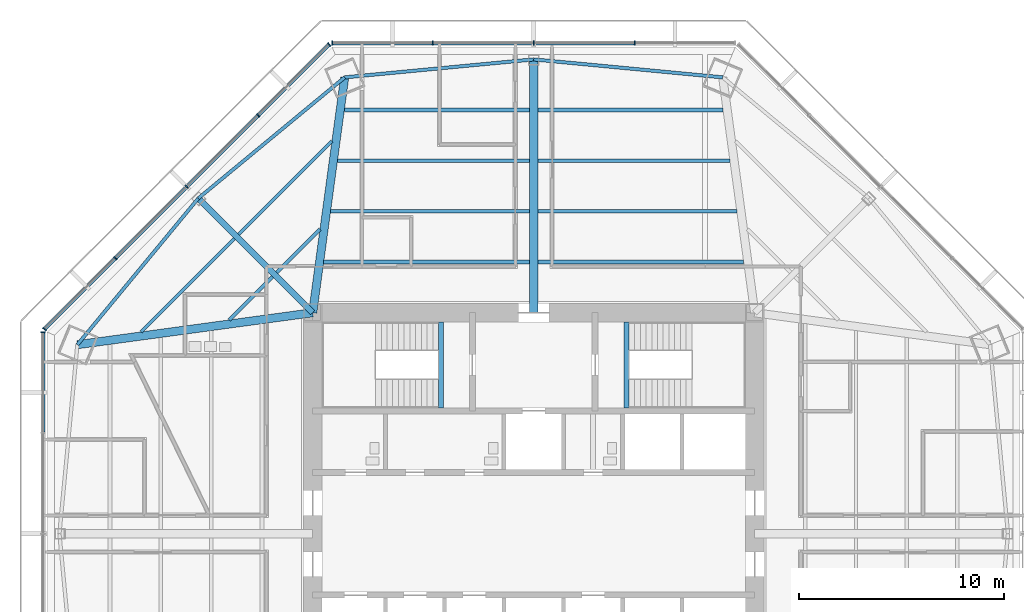
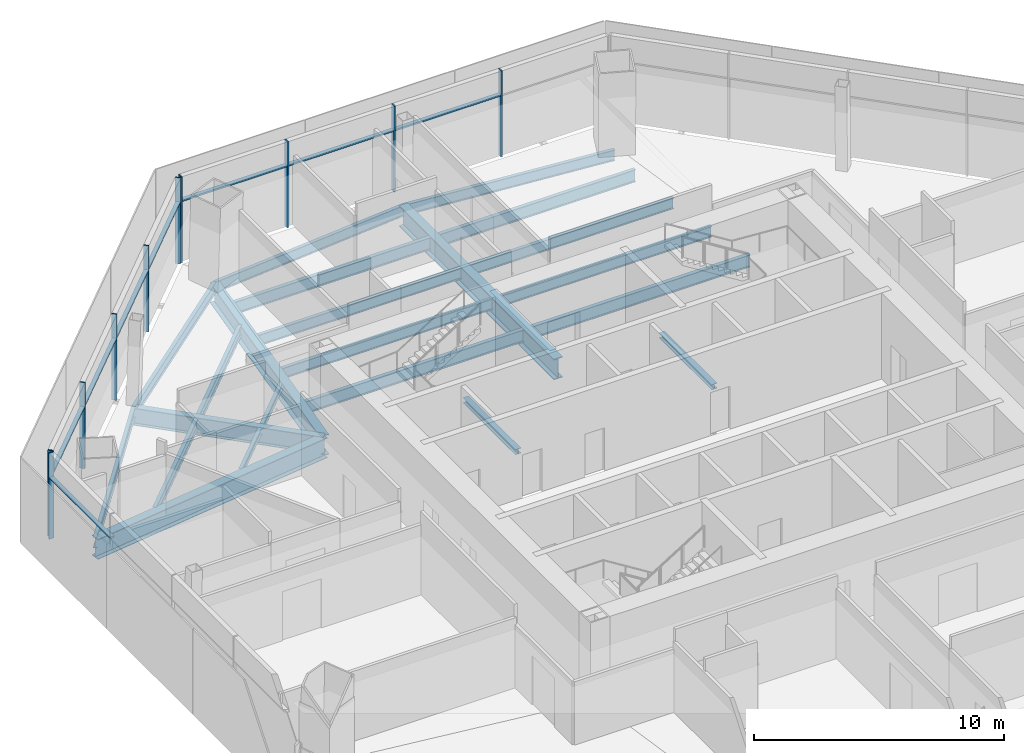
# One storey, part 5 of 14: 22 beams, 18 members, 3 elements without a shape of their own.
"""IFC4 building model written with IfcOpenShell, lengths in metres."""

from ifc_helpers import new_model, si_unit, direction, frame, origin, origin_2d, place, context, subcontext, project, spatial, rectangle, i_section, extrude, source, transform, mapped, material, material_profile, profile_set, type_object, type_shapes, element, aggregate, save


model = new_model("IFC4")

# Units and contexts
model_context = context("Model", 3, precision=1e-05, world=origin(), true_north=direction((0.0, 1.0)))
body_context = subcontext(model_context, "Body", "Model", "MODEL_VIEW")
ifc_project = project(units=[si_unit("LENGTHUNIT", "METRE"), si_unit("AREAUNIT", "SQUARE_METRE"), si_unit("VOLUMEUNIT", "CUBIC_METRE"), si_unit("PLANEANGLEUNIT", "RADIAN"), si_unit("MASSUNIT", "GRAM", prefix="KILO")], contexts=[model_context])

# Site, building, storey
site_placement = place(None, origin())
site = spatial("IfcSite", under=ifc_project, at=site_placement, CompositionType="ELEMENT")
building_placement = place(site_placement, origin())
building = spatial("IfcBuilding", under=site, at=building_placement, Name="Mashrafa Tower", CompositionType="ELEMENT")
storey_placement = place(building_placement, frame((0.0, 0.0, 142.800048828125)))
storey = spatial("IfcBuildingStorey", under=building, at=storey_placement, Name="L32", CompositionType="ELEMENT", Elevation=142.800048828125)

# Beams
ifc_material_1 = material(Name="Steel ASTM A992", Category="steel")
ifc_material_profile_1 = material_profile(ifc_material_1, i_section(OverallWidth=0.164794921875, OverallDepth=0.309814453125, WebThickness=0.005859375, FlangeThickness=0.009765625, FilletRadius=0.007568359375, at=origin_2d()), Name="W12X26")
ifc_profile_set_1 = profile_set([ifc_material_profile_1], Name="Steel ASTM A992")
beam_type_1 = type_object("IfcBeamType", Name="Beam W12X26", PredefinedType="BEAM", material=ifc_profile_set_1)
for number, where, z_axis, x_axis, name in (
    (1, (-14.878662109375, 10.448486328125, -0.320068359375), (0.707106781187, 0.707106781187, 0.0), (-0.707106781187, 0.707106781187, 0.0), "Floor beam L32 008"),
    (2, (-12.560302734375, 12.766845703125, -0.320068359375), (0.707106781187, 0.707106781187, 0.0), (-0.707106781187, 0.707106781187, 0.0), "Floor beam L32 014"),
):
    element("IfcBeam", number, at=place(storey_placement, frame(where, z_axis=z_axis, x_axis=x_axis)), inside=storey, type_object=beam_type_1, Name=name, PredefinedType="BEAM", context=body_context, shape_type="SweptSolid", body=[
        extrude(i_section(OverallWidth=0.164794921875, OverallDepth=0.309814453125, WebThickness=0.005859375, FlangeThickness=0.009765625, FilletRadius=0.007568359375, at=origin_2d()), origin(), (0.0, 0.0, 1.0), 2.986572265625),
    ])
ifc_material_2 = material(Name="Steel ASTM A992", Category="steel")
ifc_material_profile_2 = material_profile(ifc_material_2, i_section(OverallWidth=0.1650390625, OverallDepth=0.52587890625, WebThickness=0.0087890625, FlangeThickness=0.011474609375, FilletRadius=0.0126953125, at=origin_2d()), Name="W21X44")
ifc_profile_set_2 = profile_set([ifc_material_profile_2], Name="Steel ASTM A992")
beam_type_2 = type_object("IfcBeamType", Name="Beam W21X44", PredefinedType="BEAM", material=ifc_profile_set_2)
for number, where, z_axis, x_axis, name in (
    (3, (-19.191650390625, 9.862548828125, -0.427978515625), (0.707106781187, 0.707106781187, 0.0), (-0.707106781187, 0.707106781187, 0.0), "Floor beam L32 003"),
    (4, (-14.423828125, 14.63037109375, -0.427978515625), (0.707106781187, 0.707106781187, 0.0), (-0.707106781187, 0.707106781187, 0.0), "Floor beam L32 010"),
):
    element("IfcBeam", number, at=place(storey_placement, frame(where, z_axis=z_axis, x_axis=x_axis)), inside=storey, type_object=beam_type_2, Name=name, PredefinedType="BEAM", context=body_context, shape_type="SweptSolid", body=[
        extrude(i_section(OverallWidth=0.1650390625, OverallDepth=0.52587890625, WebThickness=0.0087890625, FlangeThickness=0.011474609375, FilletRadius=0.0126953125, at=origin_2d()), origin(), (0.0, 0.0, 1.0), 6.45068359375),
    ])
beam_1_placement = place(storey_placement, frame((-9.9248046875, 15.751953125, -0.427978515625), z_axis=(1.0, 0.0, 0.0), x_axis=(0.0, 1.0, 0.0)))
element("IfcBeam", 5, at=beam_1_placement, inside=storey, type_object=beam_type_2, Name="Floor beam L32 017", PredefinedType="BEAM", context=body_context, shape_type="SweptSolid", body=[
    extrude(i_section(OverallWidth=0.1650390625, OverallDepth=0.52587890625, WebThickness=0.0087890625, FlangeThickness=0.011474609375, FilletRadius=0.0126953125, at=origin_2d()), origin(), (0.0, 0.0, 1.0), 9.72412109375),
])
beam_2_placement = place(storey_placement, frame((-9.58837890625, 18.227783203125, -0.427978515625), z_axis=(1.0, 0.0, 0.0), x_axis=(0.0, 1.0, 0.0)))
element("IfcBeam", 6, at=beam_2_placement, inside=storey, type_object=beam_type_2, Name="Floor beam L32 018", PredefinedType="BEAM", context=body_context, shape_type="SweptSolid", body=[
    extrude(i_section(OverallWidth=0.1650390625, OverallDepth=0.52587890625, WebThickness=0.0087890625, FlangeThickness=0.011474609375, FilletRadius=0.0126953125, at=origin_2d()), origin(), (0.0, 0.0, 1.0), 9.3876953125),
])
beam_3_placement = place(storey_placement, frame((0.20068359375, 15.751953125, -0.427978515625), z_axis=(1.0, 0.0, 0.0), x_axis=(0.0, 1.0, 0.0)))
element("IfcBeam", 7, at=beam_3_placement, inside=storey, type_object=beam_type_2, Name="Floor beam L32 026", PredefinedType="BEAM", context=body_context, shape_type="SweptSolid", body=[
    extrude(i_section(OverallWidth=0.1650390625, OverallDepth=0.52587890625, WebThickness=0.0087890625, FlangeThickness=0.011474609375, FilletRadius=0.0126953125, at=origin_2d()), origin(), (0.0, 0.0, 1.0), 9.72412109375),
])
beam_4_placement = place(storey_placement, frame((0.20068359375, 18.227783203125, -0.427978515625), z_axis=(1.0, 0.0, 0.0), x_axis=(0.0, 1.0, 0.0)))
element("IfcBeam", 8, at=beam_4_placement, inside=storey, type_object=beam_type_2, Name="Floor beam L32 027", PredefinedType="BEAM", context=body_context, shape_type="SweptSolid", body=[
    extrude(i_section(OverallWidth=0.1650390625, OverallDepth=0.52587890625, WebThickness=0.0087890625, FlangeThickness=0.011474609375, FilletRadius=0.0126953125, at=origin_2d()), origin(), (0.0, 0.0, 1.0), 9.3876953125),
])
for number, where, z_axis, x_axis, name in (
    (9, (-16.390625, 16.390625, -0.427978515625), (-0.636998387422, -0.770865133744, 0.0), (0.770865133744, -0.636998387422, 0.0), "Spandrel beam L32 069"),
    (10, (-9.237548828125, 22.301513671875, -0.427978515625), (-0.770865133744, -0.636998387422, 0.0), (0.636998387422, -0.770865133744, 0.0), "Spandrel beam L32 071"),
    (11, (0.0, 23.1796875, -0.427978515625), (-0.995511658255, -0.09463898921, 0.0), (0.09463898921, -0.995511658255, 0.0), "Spandrel beam L32 073"),
    (12, (9.237548828125, 22.301513671875, -0.427978515625), (-0.995511658255, 0.09463898921, 0.0), (-0.09463898921, -0.995511658255, 0.0), "Spandrel beam L32 075"),
):
    element("IfcBeam", number, at=place(storey_placement, frame(where, z_axis=z_axis, x_axis=x_axis)), inside=storey, type_object=beam_type_2, Name=name, PredefinedType="BEAM", context=body_context, shape_type="SweptSolid", body=[
        extrude(i_section(OverallWidth=0.1650390625, OverallDepth=0.52587890625, WebThickness=0.0087890625, FlangeThickness=0.011474609375, FilletRadius=0.0126953125, at=origin_2d()), origin(), (0.0, 0.0, 1.0), 9.279296875),
    ])
ifc_material_3 = material(Name="Steel ASTM A992", Category="steel")
ifc_material_profile_3 = material_profile(ifc_material_3, i_section(OverallWidth=0.177978515625, OverallDepth=0.599365234375, WebThickness=0.010009765625, FlangeThickness=0.012939453125, FilletRadius=0.012939453125, at=origin_2d()), Name="W24X55")
ifc_profile_set_3 = profile_set([ifc_material_profile_3], Name="Steel ASTM A992")
beam_type_3 = type_object("IfcBeamType", Name="Beam W24X55", PredefinedType="BEAM", material=ifc_profile_set_3)
beam_5_placement = place(storey_placement, frame((-10.26123046875, 13.27587890625, -0.46484375), z_axis=(1.0, 0.0, 0.0), x_axis=(0.0, 1.0, 0.0)))
element("IfcBeam", 13, at=beam_5_placement, inside=storey, type_object=beam_type_3, Name="Floor beam L32 015", PredefinedType="BEAM", context=body_context, shape_type="SweptSolid", body=[
    extrude(i_section(OverallWidth=0.177978515625, OverallDepth=0.599365234375, WebThickness=0.010009765625, FlangeThickness=0.012939453125, FilletRadius=0.012939453125, at=origin_2d()), origin(), (0.0, 0.0, 1.0), 10.060546875),
])
beam_6_placement = place(storey_placement, frame((-9.252197265625, 20.703857421875, -0.46484375), z_axis=(1.0, 0.0, 0.0), x_axis=(0.0, 1.0, 0.0)))
element("IfcBeam", 14, at=beam_6_placement, inside=storey, type_object=beam_type_3, Name="Floor beam L32 020", PredefinedType="BEAM", context=body_context, shape_type="SweptSolid", body=[
    extrude(i_section(OverallWidth=0.177978515625, OverallDepth=0.599365234375, WebThickness=0.010009765625, FlangeThickness=0.012939453125, FilletRadius=0.012939453125, at=origin_2d()), origin(), (0.0, 0.0, 1.0), 9.051513671875),
])
beam_7_placement = place(storey_placement, frame((0.20068359375, 13.27587890625, -0.46484375), z_axis=(1.0, 0.0, 0.0), x_axis=(0.0, 1.0, 0.0)))
element("IfcBeam", 15, at=beam_7_placement, inside=storey, type_object=beam_type_3, Name="Floor beam L32 025", PredefinedType="BEAM", context=body_context, shape_type="SweptSolid", body=[
    extrude(i_section(OverallWidth=0.177978515625, OverallDepth=0.599365234375, WebThickness=0.010009765625, FlangeThickness=0.012939453125, FilletRadius=0.012939453125, at=origin_2d()), origin(), (0.0, 0.0, 1.0), 10.060546875),
])
beam_8_placement = place(storey_placement, frame((0.20068359375, 20.703857421875, -0.46484375), z_axis=(1.0, 0.0, 0.0), x_axis=(0.0, 1.0, 0.0)))
element("IfcBeam", 16, at=beam_8_placement, inside=storey, type_object=beam_type_3, Name="Floor beam L32 028", PredefinedType="BEAM", context=body_context, shape_type="SweptSolid", body=[
    extrude(i_section(OverallWidth=0.177978515625, OverallDepth=0.599365234375, WebThickness=0.010009765625, FlangeThickness=0.012939453125, FilletRadius=0.012939453125, at=origin_2d()), origin(), (0.0, 0.0, 1.0), 9.051513671875),
])
ifc_material_4 = material(Name="Steel ASTM A992", Category="steel")
ifc_material_profile_4 = material_profile(ifc_material_4, i_section(OverallWidth=0.2919921875, OverallDepth=0.8408203125, WebThickness=0.0146484375, FlangeThickness=0.021728515625, FilletRadius=0.017333984375, at=origin_2d()), Name="W33X130")
ifc_profile_set_4 = profile_set([ifc_material_profile_4], Name="Steel ASTM A992")
beam_type_4 = type_object("IfcBeamType", Name="Beam W33X130", PredefinedType="BEAM", material=ifc_profile_set_4)
beam_9_placement = place(storey_placement, frame((-10.800048828125, 10.800048828125, -0.58544921875), z_axis=(-0.707106781187, 0.707106781187, 0.0), x_axis=(-0.707106781187, -0.707106781187, 0.0)))
element("IfcBeam", 17, at=beam_9_placement, inside=storey, type_object=beam_type_4, Name="Radial girder L32 054", PredefinedType="BEAM", context=body_context, shape_type="SweptSolid", body=[
    extrude(i_section(OverallWidth=0.2919921875, OverallDepth=0.8408203125, WebThickness=0.0146484375, FlangeThickness=0.021728515625, FilletRadius=0.017333984375, at=origin_2d()), origin(), (0.0, 0.0, 1.0), 7.90625),
])
ifc_material_5 = material(Name="Steel ASTM A992", Category="steel")
ifc_material_profile_5 = material_profile(ifc_material_5, i_section(OverallWidth=0.4013671875, OverallDepth=0.98291015625, WebThickness=0.0166015625, FlangeThickness=0.027099609375, FilletRadius=0.0126953125, at=origin_2d()), Name="W40X199")
ifc_profile_set_5 = profile_set([ifc_material_profile_5], Name="Steel ASTM A992")
beam_type_5 = type_object("IfcBeamType", Name="Beam W40X199", PredefinedType="BEAM", material=ifc_profile_set_5)
for number, where, z_axis, x_axis, name in (
    (18, (-10.800048828125, 10.800048828125, -0.656494140625), (-0.990897880062, -0.134615717096, 0.0), (0.134615717096, -0.990897880062, 0.0), "Radial girder L32 053"),
    (19, (-10.800048828125, 10.800048828125, -0.656494140625), (0.134615717096, 0.990897880062, 0.0), (-0.990897880062, 0.134615717096, 0.0), "Radial girder L32 055"),
):
    element("IfcBeam", number, at=place(storey_placement, frame(where, z_axis=z_axis, x_axis=x_axis)), inside=storey, type_object=beam_type_5, Name=name, PredefinedType="BEAM", context=body_context, shape_type="SweptSolid", body=[
        extrude(i_section(OverallWidth=0.4013671875, OverallDepth=0.98291015625, WebThickness=0.0166015625, FlangeThickness=0.027099609375, FilletRadius=0.0126953125, at=origin_2d()), origin(), (0.0, 0.0, 1.0), 11.607177734375),
    ])
ifc_material_6 = material(Name="Steel ASTM A992", Category="steel")
ifc_material_profile_6 = material_profile(ifc_material_6, i_section(OverallWidth=0.4013671875, OverallDepth=1.010986328125, WebThickness=0.023681640625, FlangeThickness=0.0419921875, FilletRadius=0.02001953125, at=origin_2d()), Name="W40X297")
ifc_profile_set_6 = profile_set([ifc_material_profile_6], Name="Steel ASTM A992")
beam_type_6 = type_object("IfcBeamType", Name="Beam W40X297", PredefinedType="BEAM", material=ifc_profile_set_6)
beam_10_placement = place(storey_placement, frame((0.0, 10.800048828125, -0.67041015625), z_axis=(0.0, 1.0, 0.0), x_axis=(-1.0, 0.0, 0.0)))
element("IfcBeam", 20, at=beam_10_placement, inside=storey, type_object=beam_type_6, Name="Radial girder L32 057", PredefinedType="BEAM", context=body_context, shape_type="SweptSolid", body=[
    extrude(i_section(OverallWidth=0.4013671875, OverallDepth=1.010986328125, WebThickness=0.023681640625, FlangeThickness=0.0419921875, FilletRadius=0.02001953125, at=origin_2d()), origin(), (0.0, 0.0, 1.0), 12.379638671875),
])
ifc_material_7 = material(Name="Steel ASTM A992", Category="steel")
ifc_material_profile_7 = material_profile(ifc_material_7, i_section(OverallWidth=0.25390625, OverallDepth=0.25390625, WebThickness=0.008544921875, FlangeThickness=0.01416015625, FilletRadius=0.010009765625, at=origin_2d()), Name="W10X49")
ifc_profile_set_7 = profile_set([ifc_material_profile_7], Name="Steel ASTM A992")
beam_type_7 = type_object("IfcBeamType", Name="Hoistway beam W10X49", PredefinedType="BEAM", material=ifc_profile_set_7)
for number, where, z_axis, x_axis, name in (
    (21, (-4.530029296875, 6.14990234375, -0.3271484375), (0.0, 1.0, 0.0), (-1.0, 0.0, 0.0), "Stair S1 landing beam L32"),
    (22, (4.530029296875, 6.14990234375, -0.3271484375), (0.0, 1.0, 0.0), (-1.0, 0.0, 0.0), "Stair S2 landing beam L32"),
):
    element("IfcBeam", number, at=place(storey_placement, frame(where, z_axis=z_axis, x_axis=x_axis)), inside=storey, type_object=beam_type_7, Name=name, PredefinedType="BEAM", context=body_context, shape_type="SweptSolid", body=[
        extrude(i_section(OverallWidth=0.25390625, OverallDepth=0.25390625, WebThickness=0.008544921875, FlangeThickness=0.01416015625, FilletRadius=0.010009765625, at=origin_2d()), origin(), (0.0, 0.0, 1.0), 4.2001953125),
    ])

# Curtain wall, members
ifc_material_8 = material(Name="Unitised aluminium curtain wall", Category="aluminium")
curtain_wall_type = type_object("IfcCurtainWallType", Name="Office curtain wall, zone 2 CW-B 225 deep", PredefinedType="NOTDEFINED", material=ifc_material_8)
curtain_wall_1_placement = place(storey_placement, origin())
curtain_wall_1 = element("IfcCurtainWall", 23, at=curtain_wall_1_placement, inside=storey, type_object=curtain_wall_type, Name="Office curtain wall, zone 2 L32 north", PredefinedType="NOTDEFINED")
ifc_material_9 = material(Name="Extruded aluminium mullion", Category="aluminium")
ifc_material_profile_8 = material_profile(ifc_material_9, rectangle(XDim=0.22509765625, YDim=0.06494140625, at=origin_2d()), Name="Mullion 65x225")
ifc_profile_set_8 = profile_set([ifc_material_profile_8], Name="Extruded aluminium mullion")
member_type_1 = type_object("IfcMemberType", Name="Mullion CW-B 65 x 225", PredefinedType="MULLION", material=ifc_profile_set_8)
shared_shape_1 = source(origin(), body_context, "Body", "SweptSolid", [
    extrude(rectangle(XDim=0.22509765625, YDim=0.06494140625, at=origin_2d()), origin(), (0.0, 0.0, 1.0), 4.199951171875),
])
type_shapes(member_type_1, [shared_shape_1])
member_1_placement = place(storey_placement, frame((4.93701171875, 23.97509765625, 0.0), z_axis=(0.0, 0.0, 1.0), x_axis=(0.0, -1.0, 0.0)))
member_1 = element("IfcMember", 24, at=member_1_placement, type_object=member_type_1, Name="CW-B mullion 2", PredefinedType="MULLION", context=body_context, shape_type="MappedRepresentation", body=[
    mapped(shared_shape_1, transform((0.0, 0.0, 0.0))),
])
member_2_placement = place(storey_placement, frame((0.0, 23.97509765625, 0.0), z_axis=(0.0, 0.0, 1.0), x_axis=(0.0, -1.0, 0.0)))
member_2 = element("IfcMember", 25, at=member_2_placement, type_object=member_type_1, Name="CW-B mullion 3", PredefinedType="MULLION", context=body_context, shape_type="MappedRepresentation", body=[
    mapped(shared_shape_1, transform((0.0, 0.0, 0.0))),
])
member_3_placement = place(storey_placement, frame((-4.93701171875, 23.97509765625, 0.0), z_axis=(0.0, 0.0, 1.0), x_axis=(0.0, -1.0, 0.0)))
member_3 = element("IfcMember", 26, at=member_3_placement, type_object=member_type_1, Name="CW-B mullion 4", PredefinedType="MULLION", context=body_context, shape_type="MappedRepresentation", body=[
    mapped(shared_shape_1, transform((0.0, 0.0, 0.0))),
])
member_4_placement = place(storey_placement, frame((-9.841796875, 23.97509765625, 0.0), z_axis=(0.0, 0.0, 1.0), x_axis=(0.0, -1.0, 0.0)))
member_4 = element("IfcMember", 27, at=member_4_placement, type_object=member_type_1, Name="CW-B mullion 5", PredefinedType="MULLION", context=body_context, shape_type="MappedRepresentation", body=[
    mapped(shared_shape_1, transform((0.0, 0.0, 0.0))),
])

curtain_wall_2_placement = place(storey_placement, origin())
curtain_wall_2 = element("IfcCurtainWall", 28, at=curtain_wall_2_placement, inside=storey, type_object=curtain_wall_type, Name="Office curtain wall, zone 2 L32 north-west", PredefinedType="NOTDEFINED")
member_5_placement = place(storey_placement, frame((-9.993896484375, 23.912109375, 0.0), z_axis=(0.0, 0.0, 1.0), x_axis=(0.707106781187, -0.707106781187, 0.0)))
member_5 = element("IfcMember", 29, at=member_5_placement, type_object=member_type_1, Name="CW-B mullion 1", PredefinedType="MULLION", context=body_context, shape_type="MappedRepresentation", body=[
    mapped(shared_shape_1, transform((0.0, 0.0, 0.0))),
])
member_6_placement = place(storey_placement, frame((-13.4619140625, 20.444091796875, 0.0), z_axis=(0.0, 0.0, 1.0), x_axis=(0.707106781187, -0.707106781187, 0.0)))
member_6 = element("IfcMember", 30, at=member_6_placement, type_object=member_type_1, Name="CW-B mullion 2", PredefinedType="MULLION", context=body_context, shape_type="MappedRepresentation", body=[
    mapped(shared_shape_1, transform((0.0, 0.0, 0.0))),
])
member_7_placement = place(storey_placement, frame((-16.952880859375, 16.952880859375, 0.0), z_axis=(0.0, 0.0, 1.0), x_axis=(0.707106781187, -0.707106781187, 0.0)))
member_7 = element("IfcMember", 31, at=member_7_placement, type_object=member_type_1, Name="CW-B mullion 3", PredefinedType="MULLION", context=body_context, shape_type="MappedRepresentation", body=[
    mapped(shared_shape_1, transform((0.0, 0.0, 0.0))),
])
member_8_placement = place(storey_placement, frame((-20.444091796875, 13.4619140625, 0.0), z_axis=(0.0, 0.0, 1.0), x_axis=(0.707106781187, -0.707106781187, 0.0)))
member_8 = element("IfcMember", 32, at=member_8_placement, type_object=member_type_1, Name="CW-B mullion 4", PredefinedType="MULLION", context=body_context, shape_type="MappedRepresentation", body=[
    mapped(shared_shape_1, transform((0.0, 0.0, 0.0))),
])
member_9_placement = place(storey_placement, frame((-23.912109375, 9.993896484375, 0.0), z_axis=(0.0, 0.0, 1.0), x_axis=(0.707106781187, -0.707106781187, 0.0)))
member_9 = element("IfcMember", 33, at=member_9_placement, type_object=member_type_1, Name="CW-B mullion 5", PredefinedType="MULLION", context=body_context, shape_type="MappedRepresentation", body=[
    mapped(shared_shape_1, transform((0.0, 0.0, 0.0))),
])

# Curtain wall, member
curtain_wall_3_placement = place(storey_placement, origin())
curtain_wall_3 = element("IfcCurtainWall", 34, at=curtain_wall_3_placement, inside=storey, type_object=curtain_wall_type, Name="Office curtain wall, zone 2 L32 west", PredefinedType="NOTDEFINED")
member_10_placement = place(storey_placement, frame((-23.97509765625, 9.841796875, 0.0), z_axis=(0.0, 0.0, 1.0), x_axis=(1.0, 0.0, 0.0)))
member_10 = element("IfcMember", 35, at=member_10_placement, type_object=member_type_1, Name="CW-B mullion 1", PredefinedType="MULLION", context=body_context, shape_type="MappedRepresentation", body=[
    mapped(shared_shape_1, transform((0.0, 0.0, 0.0))),
])

# Member
ifc_material_10 = material(Name="Extruded aluminium transom", Category="aluminium")
ifc_material_profile_9 = material_profile(ifc_material_10, rectangle(XDim=0.179931640625, YDim=0.080078125, at=origin_2d()), Name="Transom 80x180")
ifc_profile_set_9 = profile_set([ifc_material_profile_9], Name="Extruded aluminium transom")
member_type_2 = type_object("IfcMemberType", Name="Transom CW-B 80 x 180", PredefinedType="MULLION", material=ifc_profile_set_9)
shared_shape_2 = source(origin(), body_context, "Body", "SweptSolid", [
    extrude(rectangle(XDim=0.179931640625, YDim=0.080078125, at=origin_2d()), origin(), (0.0, 0.0, 1.0), 4.839599609375),
])
member_11_placement = place(storey_placement, frame((-4.9697265625, 23.97509765625, 3.0), z_axis=(-1.0, 0.0, 0.0), x_axis=(0.0, -1.0, 0.0)))
member_11 = element("IfcMember", 36, at=member_11_placement, type_object=member_type_2, Name="CW-B transom 4", PredefinedType="MULLION", context=body_context, shape_type="MappedRepresentation", body=[
    mapped(shared_shape_2, transform((0.0, 0.0, 0.0))),
])

member_12_placement = place(storey_placement, frame((-10.016845703125, 23.88916015625, 3.0), z_axis=(-0.707106781187, -0.707106781187, 0.0), x_axis=(0.707106781187, -0.707106781187, 0.0)))
member_12 = element("IfcMember", 37, at=member_12_placement, type_object=member_type_2, Name="CW-B transom 1", PredefinedType="MULLION", context=body_context, shape_type="MappedRepresentation", body=[
    mapped(shared_shape_2, transform((0.0, 0.0, 0.0))),
])

member_13_placement = place(storey_placement, frame((-20.467041015625, 13.43896484375, 3.0), z_axis=(-0.707106781187, -0.707106781187, 0.0), x_axis=(0.707106781187, -0.707106781187, 0.0)))
member_13 = element("IfcMember", 38, at=member_13_placement, type_object=member_type_2, Name="CW-B transom 4", PredefinedType="MULLION", context=body_context, shape_type="MappedRepresentation", body=[
    mapped(shared_shape_2, transform((0.0, 0.0, 0.0))),
])

member_14_placement = place(storey_placement, frame((-23.97509765625, 9.809326171875, 3.0), z_axis=(0.0, -1.0, 0.0), x_axis=(1.0, 0.0, 0.0)))
member_14 = element("IfcMember", 39, at=member_14_placement, type_object=member_type_2, Name="CW-B transom 1", PredefinedType="MULLION", context=body_context, shape_type="MappedRepresentation", body=[
    mapped(shared_shape_2, transform((0.0, 0.0, 0.0))),
])

aggregate(curtain_wall_3, [member_10, member_14])

shared_shape_3 = source(origin(), body_context, "Body", "SweptSolid", [
    extrude(rectangle(XDim=0.179931640625, YDim=0.080078125, at=origin_2d()), origin(), (0.0, 0.0, 1.0), 4.8720703125),
])
member_15_placement = place(storey_placement, frame((4.904541015625, 23.97509765625, 3.0), z_axis=(-1.0, 0.0, 0.0), x_axis=(0.0, -1.0, 0.0)))
member_15 = element("IfcMember", 40, at=member_15_placement, type_object=member_type_2, Name="CW-B transom 2", PredefinedType="MULLION", context=body_context, shape_type="MappedRepresentation", body=[
    mapped(shared_shape_3, transform((0.0, 0.0, 0.0))),
])

member_16_placement = place(storey_placement, frame((-0.032470703125, 23.97509765625, 3.0), z_axis=(-1.0, 0.0, 0.0), x_axis=(0.0, -1.0, 0.0)))
member_16 = element("IfcMember", 41, at=member_16_placement, type_object=member_type_2, Name="CW-B transom 3", PredefinedType="MULLION", context=body_context, shape_type="MappedRepresentation", body=[
    mapped(shared_shape_3, transform((0.0, 0.0, 0.0))),
])

aggregate(curtain_wall_1, [member_1, member_2, member_3, member_4, member_15, member_16, member_11])

shared_shape_4 = source(origin(), body_context, "Body", "SweptSolid", [
    extrude(rectangle(XDim=0.179931640625, YDim=0.080078125, at=origin_2d()), origin(), (0.0, 0.0, 1.0), 4.872314453125),
])
type_shapes(member_type_2, [shared_shape_2, shared_shape_3, shared_shape_4])
member_17_placement = place(storey_placement, frame((-13.48486328125, 20.421142578125, 3.0), z_axis=(-0.707081726468, -0.707131835017, 0.0), x_axis=(0.707131835017, -0.707081726468, 0.0)))
member_17 = element("IfcMember", 42, at=member_17_placement, type_object=member_type_2, Name="CW-B transom 2", PredefinedType="MULLION", context=body_context, shape_type="MappedRepresentation", body=[
    mapped(shared_shape_4, transform((0.0, 0.0, 0.0))),
])

member_18_placement = place(storey_placement, frame((-16.975830078125, 16.929931640625, 3.0), z_axis=(-0.707131835017, -0.707081726468, 0.0), x_axis=(0.707081726468, -0.707131835017, 0.0)))
member_18 = element("IfcMember", 43, at=member_18_placement, type_object=member_type_2, Name="CW-B transom 3", PredefinedType="MULLION", context=body_context, shape_type="MappedRepresentation", body=[
    mapped(shared_shape_4, transform((0.0, 0.0, 0.0))),
])

aggregate(curtain_wall_2, [member_5, member_6, member_7, member_8, member_9, member_12, member_17, member_18, member_13])

save(model, "model.ifc")
